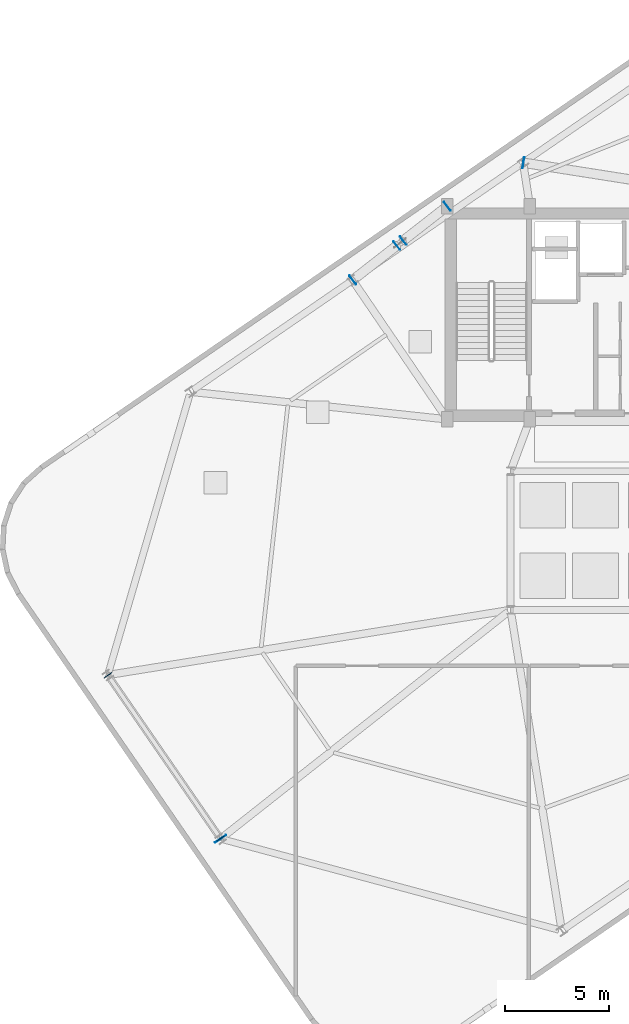
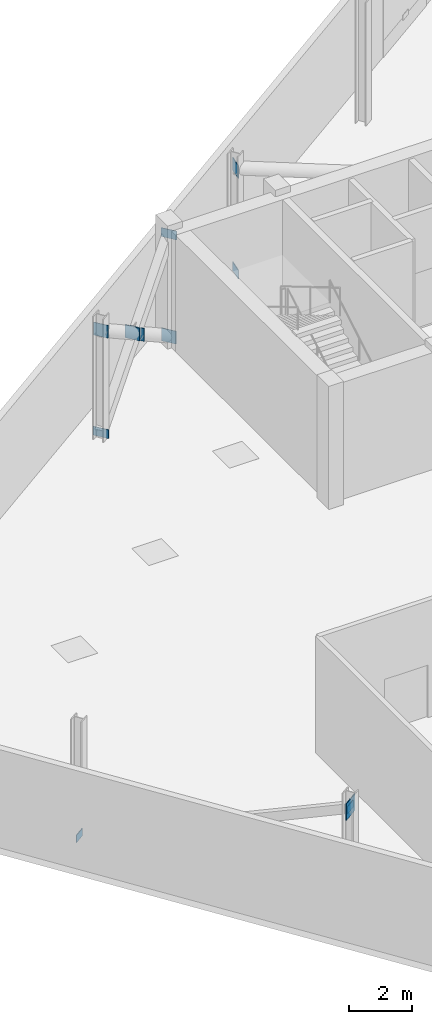
# One storey, part 4 of 9: 11 plates.
"""IFC4 building model written with IfcOpenShell, lengths in metres."""

import ifcopenshell
import ifcopenshell.guid

model = None  # the IFC model being written
_history = None  # IfcOwnerHistory: only IFC2X3 demands one
_inside = {}  # id of a spatial element -> (the spatial element, [elements in it])
_under = {}  # id of a project, library or spatial element -> (it, [spatial elements below it])
_declared = {}  # id of a project -> (the project, [libraries it declares])
_typed = {}  # id of a type object -> (the type object, [elements of that type])
_made_of = {}  # id of a material, layer set ... -> (it, [elements and type objects made of it])


def new_model(schema):
    """Start an empty IFC model of exactly this schema.

    Asked for "IFC4X3", IfcOpenShell would pick the latest addendum, in which some entities
    have other attributes; the version numbers below select the first issue.
    IFC2X3 requires an IfcOwnerHistory on every rooted entity: one is made here for all.
    """
    global model, _history
    if schema == "IFC4X3":
        model = ifcopenshell.file(schema_version=(4, 3, 0, 0))
    else:
        model = ifcopenshell.file(schema=schema)
    _inside.clear()
    _under.clear()
    _declared.clear()
    _typed.clear()
    _made_of.clear()
    _history = None
    if model.schema == "IFC2X3":
        org = make("IfcOrganization", Name="unknown")
        user = make(
            "IfcPersonAndOrganization",
            ThePerson=make("IfcPerson", FamilyName="unknown"),
            TheOrganization=org,
        )
        app = make(
            "IfcApplication",
            ApplicationDeveloper=org,
            Version="unknown",
            ApplicationFullName="unknown",
            ApplicationIdentifier="unknown",
        )
        _history = make(
            "IfcOwnerHistory",
            OwningUser=user,
            OwningApplication=app,
            ChangeAction="ADDED",
            CreationDate=0,
        )
    return model


def make(cls, **values):
    """One entity of the class cls with the attributes given. An attribute that is None is left unset."""
    return model.create_entity(
        cls, **{name: value for name, value in values.items() if value is not None}
    )


def rooted(cls, **values):
    """An entity with a GlobalId (a new one), such as an element, a storey or a relation."""
    return make(cls, GlobalId=ifcopenshell.guid.new(), OwnerHistory=_history, **values)


def si_unit(unit_type, name, prefix=None):
    """IfcSIUnit, for example si_unit("LENGTHUNIT", "METRE", prefix="MILLI")."""
    return make("IfcSIUnit", UnitType=unit_type, Prefix=prefix, Name=name)


def assignment(units):
    """IfcUnitAssignment: the units of a project."""
    return None if units is None else make("IfcUnitAssignment", Units=units)


def point(xyz):
    """IfcCartesianPoint."""
    return None if xyz is None else make("IfcCartesianPoint", Coordinates=xyz)


def direction(xyz):
    """IfcDirection."""
    return None if xyz is None else make("IfcDirection", DirectionRatios=xyz)


def frame(location, z_axis=None, x_axis=None):
    """IfcAxis2Placement3D, a coordinate frame: its origin and axes. An axis left out is left unset."""
    return make(
        "IfcAxis2Placement3D",
        Location=point(location),
        Axis=direction(z_axis),
        RefDirection=direction(x_axis),
    )


def frame_2d(location, x_axis=None):
    """IfcAxis2Placement2D, a coordinate frame in the plane: its origin and x axis."""
    return make(
        "IfcAxis2Placement2D", Location=point(location), RefDirection=direction(x_axis)
    )


def origin():
    """The frame at (0, 0, 0) with its axes left unset."""
    return frame((0.0, 0.0, 0.0))


def origin_2d():
    """The frame at (0, 0) in the plane with its x axis left unset."""
    return frame_2d((0.0, 0.0))


def place(relative_to, where):
    """IfcLocalPlacement: puts the frame where relative to a parent placement (None: the world)."""
    return make(
        "IfcLocalPlacement", PlacementRelTo=relative_to, RelativePlacement=where
    )


def context(
    kind, dimensions, precision=None, world=None, true_north=None, identifier=None
):
    """IfcGeometricRepresentationContext, for example the 3D "Model" context."""
    return make(
        "IfcGeometricRepresentationContext",
        ContextIdentifier=identifier,
        ContextType=kind,
        CoordinateSpaceDimension=dimensions,
        Precision=precision,
        WorldCoordinateSystem=world,
        TrueNorth=true_north,
    )


def subcontext(parent, identifier, kind, view, scale=None):
    """IfcGeometricRepresentationSubContext, for example "Body" below "Model"."""
    return make(
        "IfcGeometricRepresentationSubContext",
        ContextIdentifier=identifier,
        ContextType=kind,
        ParentContext=parent,
        TargetScale=scale,
        TargetView=view,
    )


def project(units=None, contexts=None):
    """IfcProject with its units and contexts."""
    return rooted(
        "IfcProject",
        Name="project",
        RepresentationContexts=contexts,
        UnitsInContext=assignment(units),
    )


def spatial(cls, under=None, at=None, **own):
    """A site, building, storey or space (cls), placed at a placement, below another one or the project."""
    s = rooted(cls, ObjectPlacement=at, **own)
    if under is not None:
        _under.setdefault(under.id(), (under, []))[1].append(s)
    return s


def profile(cls, at=None, kind="AREA", **sizes):
    """A parametric profile (cls). Its sizes go by their IFC names, for example OverallWidth=200.0."""
    return make(cls, ProfileType=kind, Position=at, **sizes)


def rectangle(**sizes):
    """IfcRectangleProfileDef."""
    return profile("IfcRectangleProfileDef", **sizes)


def extrude(swept, where, along, depth):
    """IfcExtrudedAreaSolid: the profile swept, set in the frame where, extruded along a direction by depth."""
    return make(
        "IfcExtrudedAreaSolid",
        SweptArea=swept,
        Position=where,
        ExtrudedDirection=direction(along),
        Depth=depth,
    )


def shape(context_of_items, identifier, shape_type, items):
    """IfcShapeRepresentation: the items that make up one representation, for example the "Body"."""
    return make(
        "IfcShapeRepresentation",
        ContextOfItems=context_of_items,
        RepresentationIdentifier=identifier,
        RepresentationType=shape_type,
        Items=items,
    )


def source(mapping_origin, context_of_items, identifier, shape_type, items):
    """IfcRepresentationMap: a shape defined once, which mapped items show again and again."""
    return make(
        "IfcRepresentationMap",
        MappingOrigin=mapping_origin,
        MappedRepresentation=shape(context_of_items, identifier, shape_type, items),
    )


def transform(
    local_origin,
    x_axis=None,
    y_axis=None,
    z_axis=None,
    scale=None,
    scale2=None,
    scale3=None,
    uniform=True,
):
    """IfcCartesianTransformationOperator3D, or its non-uniform kind. x_axis, y_axis, z_axis: its Axis1, 2, 3."""
    if uniform:
        return make(
            "IfcCartesianTransformationOperator3D",
            Axis1=direction(x_axis),
            Axis2=direction(y_axis),
            LocalOrigin=point(local_origin),
            Scale=scale,
            Axis3=direction(z_axis),
        )
    return make(
        "IfcCartesianTransformationOperator3DnonUniform",
        Axis1=direction(x_axis),
        Axis2=direction(y_axis),
        LocalOrigin=point(local_origin),
        Scale=scale,
        Axis3=direction(z_axis),
        Scale2=scale2,
        Scale3=scale3,
    )


def mapped(mapping_source, mapping_target):
    """IfcMappedItem: shows the shape of a source again, moved by a transform."""
    return make(
        "IfcMappedItem", MappingSource=mapping_source, MappingTarget=mapping_target
    )


def material(Name=None, Category=None):
    """IfcMaterial."""
    return make("IfcMaterial", Name=Name, Category=Category)


def layer(
    of_material, thickness, ventilated=None, Name=None, Category=None, Priority=None
):
    """IfcMaterialLayer: one layer of a wall or slab, of a material (None: an air gap)."""
    return make(
        "IfcMaterialLayer",
        Material=of_material,
        LayerThickness=thickness,
        IsVentilated=ventilated,
        Name=Name,
        Category=Category,
        Priority=Priority,
    )


def layer_set(layers, Name=None):
    """IfcMaterialLayerSet."""
    return make("IfcMaterialLayerSet", MaterialLayers=layers, LayerSetName=Name)


def made_of(thing, what):
    """Note that an element or type object is made of a material, layer set ...; save() writes the relation."""
    if what is not None:
        _made_of.setdefault(what.id(), (what, []))[1].append(thing)
    return thing


def type_object(cls, material=None, **own):
    """A type object (cls), such as IfcWallType, which elements share."""
    return made_of(rooted(cls, **own), material)


def element(
    cls,
    number,
    at=None,
    inside=None,
    cuts=None,
    type_object=None,
    material=None,
    context=None,
    identifier="Body",
    shape_type=None,
    held_by="IfcProductDefinitionShape",
    body=None,
    shapes=None,
    **own,
):
    """One element of the class cls, such as IfcWall. Its Tag is "e" and its number.

    at: its placement. inside: the storey or other place that contains it. cuts: it is an
    opening in that element (IfcRelVoidsElement). A single representation is given by context,
    identifier, shape_type and body (its items); several are given by shapes. held_by: the class
    of the entity that holds the representations. save() writes the other relations.
    """
    e = rooted(cls, Tag="e%d" % number, ObjectPlacement=at, **own)
    if body is not None:
        shapes = [shape(context, identifier, shape_type, body)]
    if shapes is not None:
        e.Representation = make(held_by, Representations=shapes)
    if inside is not None:
        _inside.setdefault(inside.id(), (inside, []))[1].append(e)
    if cuts is not None:
        rooted(
            "IfcRelVoidsElement", RelatingBuildingElement=cuts, RelatedOpeningElement=e
        )
    if type_object is not None:
        _typed.setdefault(type_object.id(), (type_object, []))[1].append(e)
    return made_of(e, material)


def aggregate(whole, parts):
    """IfcRelAggregates: a whole, such as a stair, and the parts it consists of."""
    return rooted("IfcRelAggregates", RelatingObject=whole, RelatedObjects=parts)


def save(model, path):
    """Write the relations noted so far, then the file.

    IfcRelAggregates (storeys below a building ...), IfcRelContainedInSpatialStructure (elements
    in a storey), IfcRelDefinesByType, IfcRelAssociatesMaterial and IfcRelDeclares: one each for
    every whole, place, type object, material and project.
    """
    for whole, parts in _under.values():
        aggregate(whole, parts)
    for where, things in _inside.values():
        rooted(
            "IfcRelContainedInSpatialStructure",
            RelatedElements=things,
            RelatingStructure=where,
        )
    for kind, things in _typed.values():
        rooted("IfcRelDefinesByType", RelatedObjects=things, RelatingType=kind)
    for what, things in _made_of.values():
        rooted("IfcRelAssociatesMaterial", RelatedObjects=things, RelatingMaterial=what)
    for by, libraries in _declared.values():
        rooted("IfcRelDeclares", RelatingContext=by, RelatedDefinitions=libraries)
    model.write(path)


model = new_model("IFC4")

# Units and contexts
model_context = context("Model", 3, precision=1e-05, world=origin(), true_north=direction((0.0, 1.0)))
body_context = subcontext(model_context, "Body", "Model", "MODEL_VIEW")
ifc_project = project(units=[si_unit("LENGTHUNIT", "METRE"), si_unit("AREAUNIT", "SQUARE_METRE"), si_unit("VOLUMEUNIT", "CUBIC_METRE"), si_unit("PLANEANGLEUNIT", "RADIAN"), si_unit("MASSUNIT", "GRAM", prefix="KILO")], contexts=[model_context])

# Site, building, storey
site_placement = place(None, origin())
site = spatial("IfcSite", under=ifc_project, at=site_placement, CompositionType="ELEMENT")
building_placement = place(site_placement, origin())
building = spatial("IfcBuilding", under=site, at=building_placement, Name="Varnelok Gate Tower", CompositionType="ELEMENT")
storey_placement = place(building_placement, frame((0.0, 0.0, 301.10009765625)))
storey = spatial("IfcBuildingStorey", under=building, at=storey_placement, Name="L77", CompositionType="ELEMENT", Elevation=301.10009765625)

# Plates
ifc_material = material(Name="Structural Steel ASTM A572 Grade 50", Category="steel")
ifc_layer_1 = layer(ifc_material, 0.02490234375)
ifc_layer_set_1 = layer_set([ifc_layer_1], Name="Structural Steel ASTM A572 Grade 50")
plate_type_1 = type_object("IfcPlateType", Name="PLT-ENDCAP-25", PredefinedType="SHEET", material=ifc_layer_set_1)
shared_shape_1 = source(origin(), body_context, "Body", "SweptSolid", [
    extrude(rectangle(XDim=0.02490234375, YDim=0.43994140625, at=origin_2d()), origin(), (0.0, 0.0, 1.0), 0.2900390625),
])
for number, where, z_axis, x_axis, name in (
    (1, (14.30859375, 16.395751953125, 0.060302734375), (0.0, 0.0, 1.0), (0.567268949127, -0.823532597628, 0.0), "L77 hollow member sealed end plate 1"),
    (2, (19.739990234375, 8.510986328125, 4.049560546875), (0.0, 0.0, 1.0), (0.567268949127, -0.823532597628, 0.0), "L77 hollow member sealed end plate 2"),
):
    element("IfcPlate", number, at=place(storey_placement, frame(where, z_axis=z_axis, x_axis=x_axis)), inside=storey, type_object=plate_type_1, Name=name, PredefinedType="SHEET", context=body_context, shape_type="MappedRepresentation", body=[
        mapped(shared_shape_1, transform((0.0, 0.0, 0.0), scale=1.0)),
    ])
ifc_layer_2 = layer(ifc_material, 0.031982421875)
ifc_layer_set_2 = layer_set([ifc_layer_2], Name="Structural Steel ASTM A572 Grade 50")
plate_type_2 = type_object("IfcPlateType", Name="PLT-GUSSET-32", PredefinedType="USERDEFINED", material=ifc_layer_set_2)
shared_shape_2 = source(origin(), body_context, "Body", "SweptSolid", [
    extrude(rectangle(XDim=0.64990234375, YDim=0.031982421875, at=origin_2d()), origin(), (0.0, 0.0, 1.0), 0.64990234375),
])
plate_placement = place(storey_placement, frame((19.7470703125, 8.50048828125, 3.875), z_axis=(0.0, 0.0, 1.0), x_axis=(0.823532597628, 0.567268949127, 0.0)))
element("IfcPlate", 3, at=plate_placement, inside=storey, type_object=plate_type_2, Name="L77 Belt Truss Node Gusset Plate BN-2", ObjectType="GUSSET PLATE", PredefinedType="USERDEFINED", context=body_context, shape_type="MappedRepresentation", body=[
    mapped(shared_shape_2, transform((0.0, 0.0, 0.0), scale=1.0)),
])
shared_shape_3 = source(origin(), body_context, "Body", "SweptSolid", [
    extrude(rectangle(XDim=0.02490234375, YDim=0.5400390625, at=origin_2d()), origin(), (0.0, 0.0, 1.0), 0.340087890625),
])
for number, where, z_axis, x_axis, name in (
    (4, (26.12841796875, 35.482421875, 0.03759765625), (0.0, 0.0, 1.0), (0.788354480922, 0.615221271097, 0.0), "L77 hollow member sealed end plate 1"),
    (5, (30.691162109375, 39.04296875, 4.02197265625), (0.0, 0.0, 1.0), (0.788354480922, 0.615221271097, 0.0), "L77 hollow member sealed end plate 2"),
    (6, (34.367919921875, 41.146240234375, 0.03369140625), (0.0, 0.0, 1.0), (0.987865174247, -0.155313867735, 0.0), "L77 hollow member sealed end plate 1"),
):
    element("IfcPlate", number, at=place(storey_placement, frame(where, z_axis=z_axis, x_axis=x_axis)), inside=storey, type_object=plate_type_1, Name=name, PredefinedType="SHEET", context=body_context, shape_type="MappedRepresentation", body=[
        mapped(shared_shape_3, transform((0.0, 0.0, 0.0), scale=1.0)),
    ])
shared_shape_4 = source(origin(), body_context, "Body", "SweptSolid", [
    extrude(rectangle(XDim=0.02490234375, YDim=0.5, at=origin_2d()), origin(), (0.0, 0.0, 1.0), 0.5),
])
for number, where, z_axis, x_axis, name in (
    (7, (30.691162109375, 39.04296875, -0.042236328125), (0.0, 0.0, 1.0), (-0.788354480922, -0.615221271097, 0.0), "L77 hollow member sealed end plate 1"),
    (8, (28.5615234375, 37.381103515625, 1.8173828125), (0.0, 0.0, 1.0), (-0.788354480922, -0.615221271097, 0.0), "L77 hollow member sealed end plate 2"),
    (9, (28.2578125, 37.144287109375, 2.08251953125), (0.0, 0.0, 1.0), (-0.788354480922, -0.615221271097, 0.0), "L77 hollow member sealed end plate 1"),
    (10, (26.12841796875, 35.482421875, 3.942138671875), (0.0, 0.0, 1.0), (-0.788354480922, -0.615221271097, 0.0), "L77 hollow member sealed end plate 2"),
    (11, (34.367919921875, 41.146240234375, 3.946044921875), (0.0, 0.0, 1.0), (-0.987865174247, 0.155313867735, 0.0), "L77 hollow member sealed end plate 2"),
):
    element("IfcPlate", number, at=place(storey_placement, frame(where, z_axis=z_axis, x_axis=x_axis)), inside=storey, type_object=plate_type_1, Name=name, PredefinedType="SHEET", context=body_context, shape_type="MappedRepresentation", body=[
        mapped(shared_shape_4, transform((0.0, 0.0, 0.0), scale=1.0)),
    ])

save(model, "model.ifc")
